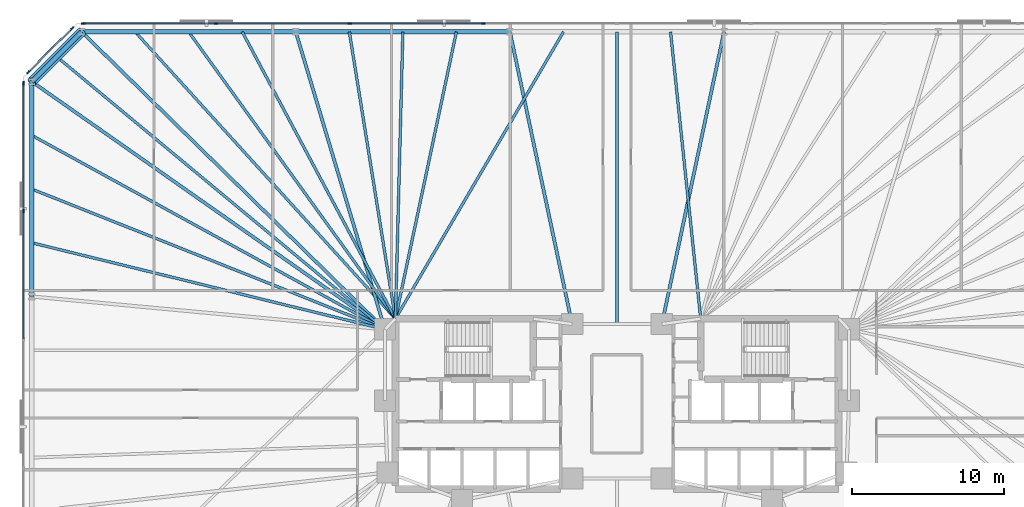
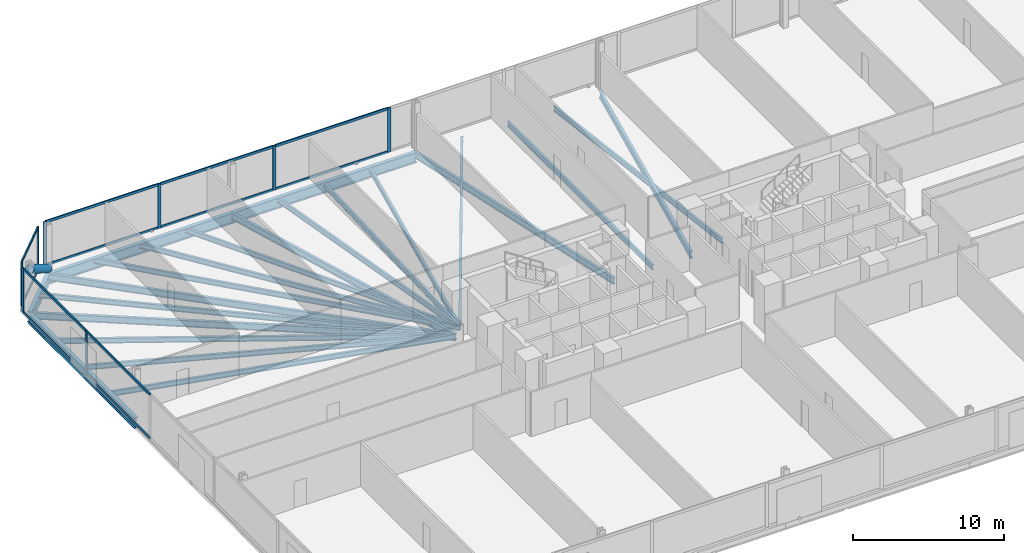
# One storey, part 8 of 17: 22 beams, 21 members, 3 elements without a shape of their own.
"""IFC4 building model written with IfcOpenShell, lengths in metres."""

from ifc_helpers import new_model, si_unit, direction, frame, origin, origin_2d, place, context, subcontext, project, spatial, rectangle, hollow_circle, i_section, extrude, material, material_profile, profile_set, type_object, element, aggregate, save


model = new_model("IFC4")

# Units and contexts
model_context = context("Model", 3, precision=1e-05, world=origin(), true_north=direction((0.0, 1.0)))
body_context = subcontext(model_context, "Body", "Model", "MODEL_VIEW")
ifc_project = project(units=[si_unit("LENGTHUNIT", "METRE"), si_unit("AREAUNIT", "SQUARE_METRE"), si_unit("VOLUMEUNIT", "CUBIC_METRE"), si_unit("PLANEANGLEUNIT", "RADIAN"), si_unit("MASSUNIT", "GRAM", prefix="KILO")], contexts=[model_context])

# Site, building, storey
site_placement = place(None, origin())
site = spatial("IfcSite", under=ifc_project, at=site_placement, CompositionType="ELEMENT")
building_placement = place(site_placement, origin())
building = spatial("IfcBuilding", under=site, at=building_placement, Name="Menara Jurai Vektor", CompositionType="ELEMENT")
storey_placement = place(building_placement, frame((0.0, 0.0, 63.60009765625)))
storey = spatial("IfcBuildingStorey", under=building, at=storey_placement, Name="L15", CompositionType="ELEMENT", Elevation=63.60009765625)

# Curtain wall, members
ifc_material_1 = material(Name="Anodised Pale Aluminium & Low-E Double Glazing", Category="aluminium")
curtain_wall_type = type_object("IfcCurtainWallType", Name="CW-BLK1", PredefinedType="NOTDEFINED", material=ifc_material_1)
curtain_wall_1_placement = place(storey_placement, origin())
curtain_wall_1 = element("IfcCurtainWall", 1, at=curtain_wall_1_placement, inside=storey, type_object=curtain_wall_type, Name="Unitised Curtain Wall L15 F05", PredefinedType="NOTDEFINED")
ifc_material_2 = material(Name="Anodised Pale Aluminium Mullion", Category="aluminium")
ifc_material_profile_1 = material_profile(ifc_material_2, rectangle(XDim=0.094970703125, YDim=0.239990234375, at=origin_2d()), Name="ALU MUL 95x240")
ifc_profile_set_1 = profile_set([ifc_material_profile_1], Name="Anodised Pale Aluminium Mullion")
member_type_1 = type_object("IfcMemberType", Name="CW-BLK1-MUL", PredefinedType="MULLION", material=ifc_profile_set_1)
member_1_placement = place(storey_placement, frame((-8.780029296875, 25.0, 0.0), z_axis=(0.0, 0.0, 1.0), x_axis=(0.0, -1.0, 0.0)))
member_1 = element("IfcMember", 2, at=member_1_placement, type_object=member_type_1, Name="CW-01 mullion 6", PredefinedType="MULLION", context=body_context, shape_type="SweptSolid", body=[
    extrude(rectangle(XDim=0.094970703125, YDim=0.239990234375, at=origin_2d()), origin(), (0.0, 0.0, 1.0), 3.574951171875),
])
member_2_placement = place(storey_placement, frame((-17.56005859375, 25.0, 0.0), z_axis=(0.0, 0.0, 1.0), x_axis=(0.0, -1.0, 0.0)))
member_2 = element("IfcMember", 3, at=member_2_placement, type_object=member_type_1, Name="CW-01 mullion 7", PredefinedType="MULLION", context=body_context, shape_type="SweptSolid", body=[
    extrude(rectangle(XDim=0.094970703125, YDim=0.239990234375, at=origin_2d()), origin(), (0.0, 0.0, 1.0), 3.574951171875),
])
member_3_placement = place(storey_placement, frame((-26.340087890625, 25.0, 0.0), z_axis=(0.0, 0.0, 1.0), x_axis=(0.0, -1.0, 0.0)))
member_3 = element("IfcMember", 4, at=member_3_placement, type_object=member_type_1, Name="CW-01 mullion 8", PredefinedType="MULLION", context=body_context, shape_type="SweptSolid", body=[
    extrude(rectangle(XDim=0.094970703125, YDim=0.239990234375, at=origin_2d()), origin(), (0.0, 0.0, 1.0), 3.574951171875),
])
member_4_placement = place(storey_placement, frame((-35.072509765625, 25.0, 0.0), z_axis=(0.0, 0.0, 1.0), x_axis=(0.0, -1.0, 0.0)))
member_4 = element("IfcMember", 5, at=member_4_placement, type_object=member_type_1, Name="CW-01 mullion 9", PredefinedType="MULLION", context=body_context, shape_type="SweptSolid", body=[
    extrude(rectangle(XDim=0.094970703125, YDim=0.239990234375, at=origin_2d()), origin(), (0.0, 0.0, 1.0), 3.574951171875),
])

curtain_wall_2_placement = place(storey_placement, origin())
curtain_wall_2 = element("IfcCurtainWall", 6, at=curtain_wall_2_placement, inside=storey, type_object=curtain_wall_type, Name="Unitised Curtain Wall L15 F06", PredefinedType="NOTDEFINED")
member_5_placement = place(storey_placement, frame((-35.80224609375, 24.69775390625, 0.0), z_axis=(0.0, 0.0, 1.0), x_axis=(0.707106781187, -0.707106781187, 0.0)))
member_5 = element("IfcMember", 7, at=member_5_placement, type_object=member_type_1, Name="CW-01 mullion 1", PredefinedType="MULLION", context=body_context, shape_type="SweptSolid", body=[
    extrude(rectangle(XDim=0.094970703125, YDim=0.239990234375, at=origin_2d()), origin(), (0.0, 0.0, 1.0), 3.574951171875),
])
member_6_placement = place(storey_placement, frame((-38.69775390625, 21.80224609375, 0.0), z_axis=(0.0, 0.0, 1.0), x_axis=(0.707106781187, -0.707106781187, 0.0)))
member_6 = element("IfcMember", 8, at=member_6_placement, type_object=member_type_1, Name="CW-01 mullion 2", PredefinedType="MULLION", context=body_context, shape_type="SweptSolid", body=[
    extrude(rectangle(XDim=0.094970703125, YDim=0.239990234375, at=origin_2d()), origin(), (0.0, 0.0, 1.0), 3.574951171875),
])

curtain_wall_3_placement = place(storey_placement, origin())
curtain_wall_3 = element("IfcCurtainWall", 9, at=curtain_wall_3_placement, inside=storey, type_object=curtain_wall_type, Name="Unitised Curtain Wall L15 F07", PredefinedType="NOTDEFINED")
member_7_placement = place(storey_placement, frame((-39.0, 21.072509765625, 0.0), z_axis=(0.0, 0.0, 1.0), x_axis=(1.0, 0.0, 0.0)))
member_7 = element("IfcMember", 10, at=member_7_placement, type_object=member_type_1, Name="CW-01 mullion 1", PredefinedType="MULLION", context=body_context, shape_type="SweptSolid", body=[
    extrude(rectangle(XDim=0.094970703125, YDim=0.239990234375, at=origin_2d()), origin(), (0.0, 0.0, 1.0), 3.574951171875),
])
member_8_placement = place(storey_placement, frame((-39.0, 12.672119140625, 0.0), z_axis=(0.0, 0.0, 1.0), x_axis=(1.0, 0.0, 0.0)))
member_8 = element("IfcMember", 11, at=member_8_placement, type_object=member_type_1, Name="CW-01 mullion 2", PredefinedType="MULLION", context=body_context, shape_type="SweptSolid", body=[
    extrude(rectangle(XDim=0.094970703125, YDim=0.239990234375, at=origin_2d()), origin(), (0.0, 0.0, 1.0), 3.574951171875),
])

# Member
ifc_material_3 = material(Name="Anodised Pale Aluminium Transom", Category="aluminium")
ifc_material_profile_2 = material_profile(ifc_material_3, rectangle(XDim=0.094970703125, YDim=0.199951171875, at=origin_2d()), Name="ALU TRN 95x200")
ifc_profile_set_2 = profile_set([ifc_material_profile_2], Name="Anodised Pale Aluminium Transom")
member_type_2 = type_object("IfcMemberType", Name="CW-BLK1-TRN", PredefinedType="USERDEFINED", material=ifc_profile_set_2)
member_9_placement = place(storey_placement, frame((-8.827392578125, 25.0, 0.04736328125), z_axis=(-1.0, 0.0, 0.0), x_axis=(0.0, -1.0, 0.0)))
member_9 = element("IfcMember", 12, at=member_9_placement, type_object=member_type_2, Name="CW-01 transom 6.1", ObjectType="TRANSOM", PredefinedType="USERDEFINED", context=body_context, shape_type="SweptSolid", body=[
    extrude(rectangle(XDim=0.094970703125, YDim=0.199951171875, at=origin_2d()), origin(), (0.0, 0.0, 1.0), 8.68505859375),
])

member_10_placement = place(storey_placement, frame((-8.827392578125, 25.0, 3.52734375), z_axis=(-1.0, 0.0, 0.0), x_axis=(0.0, -1.0, 0.0)))
member_10 = element("IfcMember", 13, at=member_10_placement, type_object=member_type_2, Name="CW-01 transom 6.2", ObjectType="TRANSOM", PredefinedType="USERDEFINED", context=body_context, shape_type="SweptSolid", body=[
    extrude(rectangle(XDim=0.094970703125, YDim=0.199951171875, at=origin_2d()), origin(), (0.0, 0.0, 1.0), 8.68505859375),
])

member_11_placement = place(storey_placement, frame((-17.607421875, 25.0, 0.04736328125), z_axis=(-1.0, 0.0, 0.0), x_axis=(0.0, -1.0, 0.0)))
member_11 = element("IfcMember", 14, at=member_11_placement, type_object=member_type_2, Name="CW-01 transom 7.1", ObjectType="TRANSOM", PredefinedType="USERDEFINED", context=body_context, shape_type="SweptSolid", body=[
    extrude(rectangle(XDim=0.094970703125, YDim=0.199951171875, at=origin_2d()), origin(), (0.0, 0.0, 1.0), 8.68505859375),
])

member_12_placement = place(storey_placement, frame((-17.607421875, 25.0, 3.52734375), z_axis=(-1.0, 0.0, 0.0), x_axis=(0.0, -1.0, 0.0)))
member_12 = element("IfcMember", 15, at=member_12_placement, type_object=member_type_2, Name="CW-01 transom 7.2", ObjectType="TRANSOM", PredefinedType="USERDEFINED", context=body_context, shape_type="SweptSolid", body=[
    extrude(rectangle(XDim=0.094970703125, YDim=0.199951171875, at=origin_2d()), origin(), (0.0, 0.0, 1.0), 8.68505859375),
])

member_13_placement = place(storey_placement, frame((-26.387451171875, 25.0, 0.04736328125), z_axis=(-1.0, 0.0, 0.0), x_axis=(0.0, -1.0, 0.0)))
member_13 = element("IfcMember", 16, at=member_13_placement, type_object=member_type_2, Name="CW-01 transom 8.1", ObjectType="TRANSOM", PredefinedType="USERDEFINED", context=body_context, shape_type="SweptSolid", body=[
    extrude(rectangle(XDim=0.094970703125, YDim=0.199951171875, at=origin_2d()), origin(), (0.0, 0.0, 1.0), 8.637451171875),
])

member_14_placement = place(storey_placement, frame((-26.387451171875, 25.0, 3.52734375), z_axis=(-1.0, 0.0, 0.0), x_axis=(0.0, -1.0, 0.0)))
member_14 = element("IfcMember", 17, at=member_14_placement, type_object=member_type_2, Name="CW-01 transom 8.2", ObjectType="TRANSOM", PredefinedType="USERDEFINED", context=body_context, shape_type="SweptSolid", body=[
    extrude(rectangle(XDim=0.094970703125, YDim=0.199951171875, at=origin_2d()), origin(), (0.0, 0.0, 1.0), 8.637451171875),
])

aggregate(curtain_wall_1, [member_1, member_2, member_3, member_4, member_9, member_10, member_11, member_12, member_13, member_14])

member_15_placement = place(storey_placement, frame((-35.8359375, 24.6640625, 0.04736328125), z_axis=(-0.707106781187, -0.707106781187, 0.0), x_axis=(0.707106781187, -0.707106781187, 0.0)))
member_15 = element("IfcMember", 18, at=member_15_placement, type_object=member_type_2, Name="CW-01 transom 1.1", ObjectType="TRANSOM", PredefinedType="USERDEFINED", context=body_context, shape_type="SweptSolid", body=[
    extrude(rectangle(XDim=0.094970703125, YDim=0.199951171875, at=origin_2d()), origin(), (0.0, 0.0, 1.0), 3.99951171875),
])

member_16_placement = place(storey_placement, frame((-35.8359375, 24.6640625, 3.52734375), z_axis=(-0.707106781187, -0.707106781187, 0.0), x_axis=(0.707106781187, -0.707106781187, 0.0)))
member_16 = element("IfcMember", 19, at=member_16_placement, type_object=member_type_2, Name="CW-01 transom 1.2", ObjectType="TRANSOM", PredefinedType="USERDEFINED", context=body_context, shape_type="SweptSolid", body=[
    extrude(rectangle(XDim=0.094970703125, YDim=0.199951171875, at=origin_2d()), origin(), (0.0, 0.0, 1.0), 3.99951171875),
])

aggregate(curtain_wall_2, [member_5, member_6, member_15, member_16])

member_17_placement = place(storey_placement, frame((-39.0, 21.02490234375, 0.04736328125), z_axis=(0.0, -1.0, 0.0), x_axis=(1.0, 0.0, 0.0)))
member_17 = element("IfcMember", 20, at=member_17_placement, type_object=member_type_2, Name="CW-01 transom 1.1", ObjectType="TRANSOM", PredefinedType="USERDEFINED", context=body_context, shape_type="SweptSolid", body=[
    extrude(rectangle(XDim=0.094970703125, YDim=0.199951171875, at=origin_2d()), origin(), (0.0, 0.0, 1.0), 8.305419921875),
])

member_18_placement = place(storey_placement, frame((-39.0, 21.02490234375, 3.52734375), z_axis=(0.0, -1.0, 0.0), x_axis=(1.0, 0.0, 0.0)))
member_18 = element("IfcMember", 21, at=member_18_placement, type_object=member_type_2, Name="CW-01 transom 1.2", ObjectType="TRANSOM", PredefinedType="USERDEFINED", context=body_context, shape_type="SweptSolid", body=[
    extrude(rectangle(XDim=0.094970703125, YDim=0.199951171875, at=origin_2d()), origin(), (0.0, 0.0, 1.0), 8.305419921875),
])

member_19_placement = place(storey_placement, frame((-39.0, 12.62451171875, 0.04736328125), z_axis=(0.0, -1.0, 0.0), x_axis=(1.0, 0.0, 0.0)))
member_19 = element("IfcMember", 22, at=member_19_placement, type_object=member_type_2, Name="CW-01 transom 2.1", ObjectType="TRANSOM", PredefinedType="USERDEFINED", context=body_context, shape_type="SweptSolid", body=[
    extrude(rectangle(XDim=0.094970703125, YDim=0.199951171875, at=origin_2d()), origin(), (0.0, 0.0, 1.0), 8.35302734375),
])

member_20_placement = place(storey_placement, frame((-39.0, 12.62451171875, 3.52734375), z_axis=(0.0, -1.0, 0.0), x_axis=(1.0, 0.0, 0.0)))
member_20 = element("IfcMember", 23, at=member_20_placement, type_object=member_type_2, Name="CW-01 transom 2.2", ObjectType="TRANSOM", PredefinedType="USERDEFINED", context=body_context, shape_type="SweptSolid", body=[
    extrude(rectangle(XDim=0.094970703125, YDim=0.199951171875, at=origin_2d()), origin(), (0.0, 0.0, 1.0), 8.35302734375),
])

aggregate(curtain_wall_3, [member_7, member_8, member_17, member_18, member_19, member_20])

# Beams
ifc_material_4 = material(Name="Steel S355", Category="steel")
ifc_material_profile_3 = material_profile(ifc_material_4, i_section(OverallWidth=0.2109375, OverallDepth=0.5390625, WebThickness=0.011962890625, FlangeThickness=0.01904296875, FilletRadius=0.012939453125, at=origin_2d()), Name="UKB 533x210x109")
ifc_profile_set_3 = profile_set([ifc_material_profile_3], Name="Steel S355")
beam_type_1 = type_object("IfcBeamType", Name="STR-BM-533", PredefinedType="BEAM", material=ifc_profile_set_3)
for number, where, z_axis, x_axis, name in (
    (24, (7.03564453125, 24.449951171875, -0.49462890625), (-0.2081367579, -0.978099734184, 0.0), (0.978099734184, -0.2081367579, 0.0), "Radial Floor Girder L15-N3"),
    (25, (-7.03564453125, 24.449951171875, -0.49462890625), (0.2081367579, -0.978099734184, 0.0), (0.978099734184, 0.2081367579, 0.0), "Radial Floor Girder L15-N4"),
):
    element("IfcBeam", number, at=place(storey_placement, frame(where, z_axis=z_axis, x_axis=x_axis)), inside=storey, type_object=beam_type_1, Name=name, PredefinedType="BEAM", context=body_context, shape_type="SweptSolid", body=[
        extrude(i_section(OverallWidth=0.2109375, OverallDepth=0.5390625, WebThickness=0.011962890625, FlangeThickness=0.01904296875, FilletRadius=0.012939453125, at=origin_2d()), origin(), (0.0, 0.0, 1.0), 19.6298828125),
    ])
beam_1_placement = place(storey_placement, frame((-21.106689453125, 24.449951171875, -0.49462890625), z_axis=(0.286973617166, -0.957938486047, 0.0), x_axis=(0.957938486047, 0.286973617166, 0.0)))
element("IfcBeam", 26, at=beam_1_placement, inside=storey, type_object=beam_type_1, Name="Radial Floor Girder L15-N5", PredefinedType="BEAM", context=body_context, shape_type="SweptSolid", body=[
    extrude(i_section(OverallWidth=0.2109375, OverallDepth=0.5390625, WebThickness=0.011962890625, FlangeThickness=0.01904296875, FilletRadius=0.012939453125, at=origin_2d()), origin(), (0.0, 0.0, 1.0), 20.408447265625),
])
beam_2_placement = place(storey_placement, frame((-35.177734375, 24.449951171875, -0.49462890625), z_axis=(0.713839032855, -0.700309813706, 0.0), x_axis=(0.700309813706, 0.713839032855, 0.0)))
element("IfcBeam", 27, at=beam_2_placement, inside=storey, type_object=beam_type_1, Name="Radial Floor Girder L15-N6", PredefinedType="BEAM", context=body_context, shape_type="SweptSolid", body=[
    extrude(i_section(OverallWidth=0.2109375, OverallDepth=0.5390625, WebThickness=0.011962890625, FlangeThickness=0.01904296875, FilletRadius=0.012939453125, at=origin_2d()), origin(), (0.0, 0.0, 1.0), 27.916259765625),
])
beam_3_placement = place(storey_placement, frame((-38.449951171875, 21.177734375, -0.49462890625), z_axis=(0.818603732445, -0.574358711283, 0.0), x_axis=(0.574358711283, 0.818603732445, 0.0)))
element("IfcBeam", 28, at=beam_3_placement, inside=storey, type_object=beam_type_1, Name="Radial Floor Girder L15-W1", PredefinedType="BEAM", context=body_context, shape_type="SweptSolid", body=[
    extrude(i_section(OverallWidth=0.2109375, OverallDepth=0.5390625, WebThickness=0.011962890625, FlangeThickness=0.01904296875, FilletRadius=0.012939453125, at=origin_2d()), origin(), (0.0, 0.0, 1.0), 28.3408203125),
])

# Member
ifc_material_5 = material(Name="Steel S460", Category="steel")
ifc_material_profile_4 = material_profile(ifc_material_5, hollow_circle(Radius=0.304931640625, WallThickness=0.02490234375, at=origin_2d()), Name="CHS 610x25")
ifc_profile_set_4 = profile_set([ifc_material_profile_4], Name="Steel S460")
member_type_3 = type_object("IfcMemberType", Name="STR-BR-610", PredefinedType="BRACE", material=ifc_profile_set_4)
member_21_placement = place(storey_placement, frame((-35.177734375, 24.449951171875, 0.14990234375), z_axis=(-0.588942422958, -0.588942422958, 0.553438022619), x_axis=(0.707106781187, -0.707106781187, 0.0)))
element("IfcMember", 29, at=member_21_placement, inside=storey, type_object=member_type_3, Name="Exoskeleton Corner Brace L15-3", PredefinedType="BRACE", context=body_context, shape_type="SweptSolid", body=[
    extrude(hollow_circle(Radius=0.304931640625, WallThickness=0.02490234375, at=origin_2d()), origin(), (0.0, 0.0, 1.0), 5.55615234375),
])

# Beams
ifc_material_profile_5 = material_profile(ifc_material_4, i_section(OverallWidth=0.178955078125, OverallDepth=0.408935546875, WebThickness=0.009033203125, FlangeThickness=0.013916015625, FilletRadius=0.010009765625, at=origin_2d()), Name="UKB 406x178x67")
ifc_profile_set_5 = profile_set([ifc_material_profile_5], Name="Steel S355")
beam_type_2 = type_object("IfcBeamType", Name="STR-JS-406", PredefinedType="JOIST", material=ifc_profile_set_5)
beam_4_placement = place(storey_placement, frame((3.517822265625, 24.449951171875, -0.4296875), z_axis=(0.104579513969, -0.994516528399, 0.0), x_axis=(0.994516528399, 0.104579513969, 0.0)))
element("IfcBeam", 30, at=beam_4_placement, inside=storey, type_object=beam_type_2, Name="Radial Secondary Floor Joist L15-JS22", PredefinedType="JOIST", context=body_context, shape_type="SweptSolid", body=[
    extrude(i_section(OverallWidth=0.178955078125, OverallDepth=0.408935546875, WebThickness=0.009033203125, FlangeThickness=0.013916015625, FilletRadius=0.010009765625, at=origin_2d()), origin(), (0.0, 0.0, 1.0), 18.953857421875),
])
beam_5_placement = place(storey_placement, frame((0.0, 24.449951171875, -0.4296875), z_axis=(0.0, -1.0, 0.0), x_axis=(1.0, 0.0, 0.0)))
element("IfcBeam", 31, at=beam_5_placement, inside=storey, type_object=beam_type_2, Name="Radial Secondary Floor Joist L15-JS23", PredefinedType="JOIST", context=body_context, shape_type="SweptSolid", body=[
    extrude(i_section(OverallWidth=0.178955078125, OverallDepth=0.408935546875, WebThickness=0.009033203125, FlangeThickness=0.013916015625, FilletRadius=0.010009765625, at=origin_2d()), origin(), (0.0, 0.0, 1.0), 19.199951171875),
])
beam_6_placement = place(storey_placement, frame((-3.517822265625, 24.449951171875, -0.4296875), z_axis=(-0.505457909797, -0.862851262631, 0.0), x_axis=(0.862851262631, -0.505457909797, 0.0)))
element("IfcBeam", 32, at=beam_6_placement, inside=storey, type_object=beam_type_2, Name="Radial Secondary Floor Joist L15-JS24", PredefinedType="JOIST", context=body_context, shape_type="SweptSolid", body=[
    extrude(i_section(OverallWidth=0.178955078125, OverallDepth=0.408935546875, WebThickness=0.009033203125, FlangeThickness=0.013916015625, FilletRadius=0.010009765625, at=origin_2d()), origin(), (0.0, 0.0, 1.0), 21.845947265625),
])
beam_7_placement = place(storey_placement, frame((-10.55322265625, 24.449951171875, -0.4296875), z_axis=(-0.207920423262, -0.978145744555, 0.0), x_axis=(0.978145744555, -0.207920423262, 0.0)))
element("IfcBeam", 33, at=beam_7_placement, inside=storey, type_object=beam_type_2, Name="Radial Secondary Floor Joist L15-JS25", PredefinedType="JOIST", context=body_context, shape_type="SweptSolid", body=[
    extrude(i_section(OverallWidth=0.178955078125, OverallDepth=0.408935546875, WebThickness=0.009033203125, FlangeThickness=0.013916015625, FilletRadius=0.010009765625, at=origin_2d()), origin(), (0.0, 0.0, 1.0), 19.27099609375),
])
beam_8_placement = place(storey_placement, frame((-14.071044921875, 24.449951171875, -0.4296875), z_axis=(-0.02593384597, -0.999663661255, 0.0), x_axis=(0.999663661255, -0.02593384597, 0.0)))
element("IfcBeam", 34, at=beam_8_placement, inside=storey, type_object=beam_type_2, Name="Radial Secondary Floor Joist L15-JS26", PredefinedType="JOIST", context=body_context, shape_type="SweptSolid", body=[
    extrude(i_section(OverallWidth=0.178955078125, OverallDepth=0.408935546875, WebThickness=0.009033203125, FlangeThickness=0.013916015625, FilletRadius=0.010009765625, at=origin_2d()), origin(), (0.0, 0.0, 1.0), 18.856201171875),
])
beam_9_placement = place(storey_placement, frame((-17.5888671875, 24.449951171875, -0.4296875), z_axis=(0.158645817656, -0.987335558227, 0.0), x_axis=(0.987335558227, 0.158645817656, 0.0)))
element("IfcBeam", 35, at=beam_9_placement, inside=storey, type_object=beam_type_2, Name="Radial Secondary Floor Joist L15-JS27", PredefinedType="JOIST", context=body_context, shape_type="SweptSolid", body=[
    extrude(i_section(OverallWidth=0.178955078125, OverallDepth=0.408935546875, WebThickness=0.009033203125, FlangeThickness=0.013916015625, FilletRadius=0.010009765625, at=origin_2d()), origin(), (0.0, 0.0, 1.0), 19.091552734375),
])
beam_10_placement = place(storey_placement, frame((-24.62451171875, 24.449951171875, -0.4296875), z_axis=(0.470996174599, -0.882135252392, 0.0), x_axis=(0.882135252392, 0.470996174599, 0.0)))
element("IfcBeam", 36, at=beam_10_placement, inside=storey, type_object=beam_type_2, Name="Radial Secondary Floor Joist L15-JS28", PredefinedType="JOIST", context=body_context, shape_type="SweptSolid", body=[
    extrude(i_section(OverallWidth=0.178955078125, OverallDepth=0.408935546875, WebThickness=0.009033203125, FlangeThickness=0.013916015625, FilletRadius=0.010009765625, at=origin_2d()), origin(), (0.0, 0.0, 1.0), 21.368408203125),
])
beam_11_placement = place(storey_placement, frame((-28.142333984375, 24.449951171875, -0.4296875), z_axis=(0.584598948369, -0.811322420229, 0.0), x_axis=(0.811322420229, 0.584598948369, 0.0)))
element("IfcBeam", 37, at=beam_11_placement, inside=storey, type_object=beam_type_2, Name="Radial Secondary Floor Joist L15-JS29", PredefinedType="JOIST", context=body_context, shape_type="SweptSolid", body=[
    extrude(i_section(OverallWidth=0.178955078125, OverallDepth=0.408935546875, WebThickness=0.009033203125, FlangeThickness=0.013916015625, FilletRadius=0.010009765625, at=origin_2d()), origin(), (0.0, 0.0, 1.0), 23.2333984375),
])
beam_12_placement = place(storey_placement, frame((-31.659912109375, 24.449951171875, -0.4296875), z_axis=(0.671889844346, -0.740651089964, 0.0), x_axis=(0.740651089964, 0.671889844346, 0.0)))
element("IfcBeam", 38, at=beam_12_placement, inside=storey, type_object=beam_type_2, Name="Radial Secondary Floor Joist L15-JS30", PredefinedType="JOIST", context=body_context, shape_type="SweptSolid", body=[
    extrude(i_section(OverallWidth=0.178955078125, OverallDepth=0.408935546875, WebThickness=0.009033203125, FlangeThickness=0.013916015625, FilletRadius=0.010009765625, at=origin_2d()), origin(), (0.0, 0.0, 1.0), 25.450439453125),
])
beam_13_placement = place(storey_placement, frame((-36.81396484375, 22.81396484375, -0.4296875), z_axis=(0.769201173096, -0.639006694259, 0.0), x_axis=(0.639006694259, 0.769201173096, 0.0)))
element("IfcBeam", 39, at=beam_13_placement, inside=storey, type_object=beam_type_2, Name="Radial Secondary Floor Joist L15-JS31", PredefinedType="JOIST", context=body_context, shape_type="SweptSolid", body=[
    extrude(i_section(OverallWidth=0.178955078125, OverallDepth=0.408935546875, WebThickness=0.009033203125, FlangeThickness=0.013916015625, FilletRadius=0.010009765625, at=origin_2d()), origin(), (0.0, 0.0, 1.0), 28.0341796875),
])
beam_14_placement = place(storey_placement, frame((-38.449951171875, 17.648193359375, -0.4296875), z_axis=(0.87640219057, -0.481579900291, 0.0), x_axis=(0.481579900291, 0.87640219057, 0.0)))
element("IfcBeam", 40, at=beam_14_placement, inside=storey, type_object=beam_type_2, Name="Radial Secondary Floor Joist L15-JS32", PredefinedType="JOIST", context=body_context, shape_type="SweptSolid", body=[
    extrude(i_section(OverallWidth=0.178955078125, OverallDepth=0.408935546875, WebThickness=0.009033203125, FlangeThickness=0.013916015625, FilletRadius=0.010009765625, at=origin_2d()), origin(), (0.0, 0.0, 1.0), 26.471923828125),
])
beam_15_placement = place(storey_placement, frame((-38.449951171875, 14.118408203125, -0.4296875), z_axis=(0.929323400723, -0.369266864027, 0.0), x_axis=(0.369266864027, 0.929323400723, 0.0)))
element("IfcBeam", 41, at=beam_15_placement, inside=storey, type_object=beam_type_2, Name="Radial Secondary Floor Joist L15-JS33", PredefinedType="JOIST", context=body_context, shape_type="SweptSolid", body=[
    extrude(i_section(OverallWidth=0.178955078125, OverallDepth=0.408935546875, WebThickness=0.009033203125, FlangeThickness=0.013916015625, FilletRadius=0.010009765625, at=origin_2d()), origin(), (0.0, 0.0, 1.0), 24.96435546875),
])
beam_16_placement = place(storey_placement, frame((-38.449951171875, 10.5888671875, -0.4296875), z_axis=(0.971226234641, -0.238158772976, 0.0), x_axis=(0.238158772976, 0.971226234641, 0.0)))
element("IfcBeam", 42, at=beam_16_placement, inside=storey, type_object=beam_type_2, Name="Radial Secondary Floor Joist L15-JS34", PredefinedType="JOIST", context=body_context, shape_type="SweptSolid", body=[
    extrude(i_section(OverallWidth=0.178955078125, OverallDepth=0.408935546875, WebThickness=0.009033203125, FlangeThickness=0.013916015625, FilletRadius=0.010009765625, at=origin_2d()), origin(), (0.0, 0.0, 1.0), 23.88720703125),
])
ifc_material_profile_6 = material_profile(ifc_material_5, i_section(OverallWidth=0.2939453125, OverallDepth=0.85107421875, WebThickness=0.01611328125, FlangeThickness=0.027099609375, FilletRadius=0.01806640625, at=origin_2d()), Name="UKB 838x292x226")
ifc_profile_set_6 = profile_set([ifc_material_profile_6], Name="Steel S460")
beam_type_3 = type_object("IfcBeamType", Name="STR-SP-838", PredefinedType="SPANDREL", material=ifc_profile_set_6)
for number, where, z_axis, x_axis, name in (
    (43, (-7.03564453125, 24.449951171875, -0.650634765625), (-1.0, 0.0, 0.0), (0.0, -1.0, 0.0), "Exoskeleton Spandrel Beam L15-14"),
    (44, (-21.106689453125, 24.449951171875, -0.650634765625), (-1.0, 0.0, 0.0), (0.0, -1.0, 0.0), "Exoskeleton Spandrel Beam L15-15"),
):
    element("IfcBeam", number, at=place(storey_placement, frame(where, z_axis=z_axis, x_axis=x_axis)), inside=storey, type_object=beam_type_3, Name=name, PredefinedType="SPANDREL", context=body_context, shape_type="SweptSolid", body=[
        extrude(i_section(OverallWidth=0.2939453125, OverallDepth=0.85107421875, WebThickness=0.01611328125, FlangeThickness=0.027099609375, FilletRadius=0.01806640625, at=origin_2d()), origin(), (0.0, 0.0, 1.0), 14.071044921875),
    ])
beam_17_placement = place(storey_placement, frame((-35.177734375, 24.449951171875, -0.650634765625), z_axis=(-0.707106781187, -0.707106781187, 0.0), x_axis=(0.707106781187, -0.707106781187, 0.0)))
element("IfcBeam", 45, at=beam_17_placement, inside=storey, type_object=beam_type_3, Name="Exoskeleton Spandrel Beam L15-16", PredefinedType="SPANDREL", context=body_context, shape_type="SweptSolid", body=[
    extrude(i_section(OverallWidth=0.2939453125, OverallDepth=0.85107421875, WebThickness=0.01611328125, FlangeThickness=0.027099609375, FilletRadius=0.01806640625, at=origin_2d()), origin(), (0.0, 0.0, 1.0), 4.627685546875),
])
beam_18_placement = place(storey_placement, frame((-38.449951171875, 21.177734375, -0.650634765625), z_axis=(0.0, -1.0, 0.0), x_axis=(1.0, 0.0, 0.0)))
element("IfcBeam", 46, at=beam_18_placement, inside=storey, type_object=beam_type_3, Name="Exoskeleton Spandrel Beam L15-17", PredefinedType="SPANDREL", context=body_context, shape_type="SweptSolid", body=[
    extrude(i_section(OverallWidth=0.2939453125, OverallDepth=0.85107421875, WebThickness=0.01611328125, FlangeThickness=0.027099609375, FilletRadius=0.01806640625, at=origin_2d()), origin(), (0.0, 0.0, 1.0), 14.118408203125),
])

save(model, "model.ifc")
